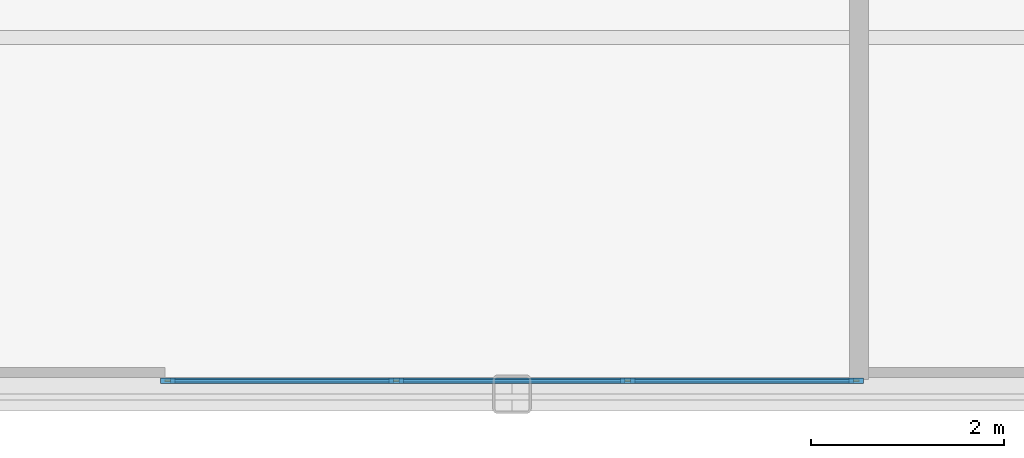
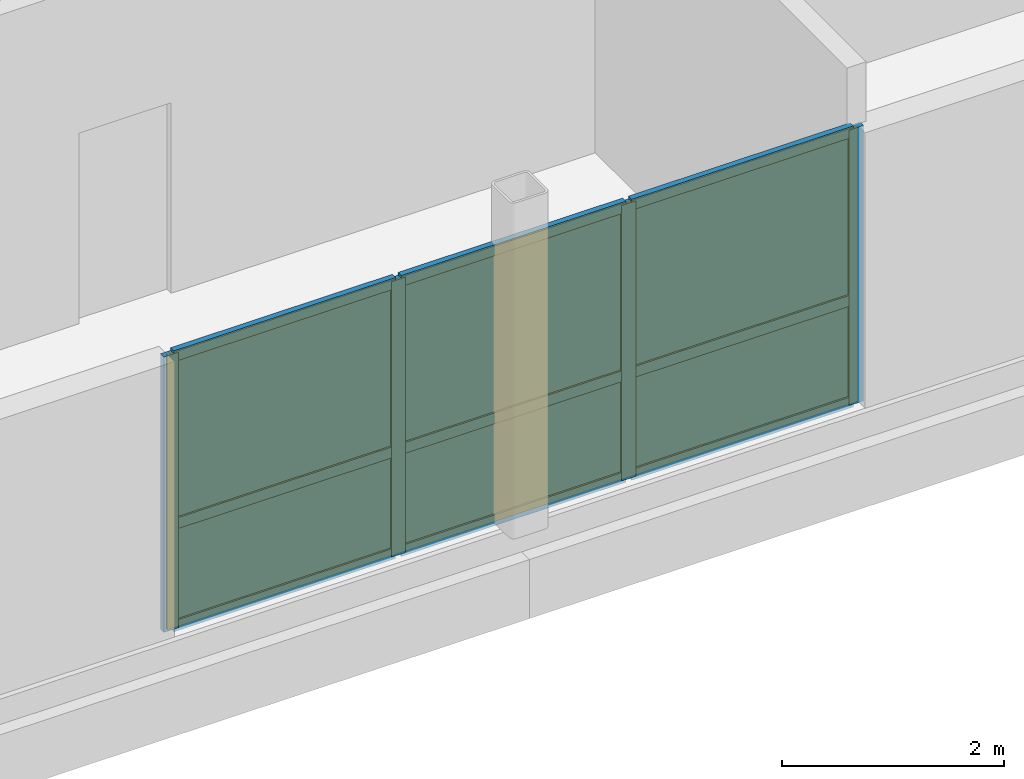
# One storey, part 5 of 10: 13 members, 6 plates, 1 curtain wall.
"""IFC4 building model written with IfcOpenShell, lengths in metres."""

from ifc_helpers import new_model, si_unit, direction, frame, frame_2d, origin, origin_2d, place, context, subcontext, project, spatial, rectangle, extrude, source, transform, mapped, material, layer, layer_set, material_profile, profile_set, type_object, type_shapes, element, aggregate, save


model = new_model("IFC4")

# Units and contexts
model_context = context("Model", 3, precision=1e-05, world=origin(), true_north=direction((0.0, 1.0)))
body_context = subcontext(model_context, "Body", "Model", "MODEL_VIEW")
ifc_project = project(units=[si_unit("LENGTHUNIT", "METRE"), si_unit("AREAUNIT", "SQUARE_METRE"), si_unit("VOLUMEUNIT", "CUBIC_METRE"), si_unit("PLANEANGLEUNIT", "RADIAN"), si_unit("MASSUNIT", "GRAM", prefix="KILO")], contexts=[model_context])

# Member
ifc_material_1 = material(Name="Anodised aluminium 6063-T6", Category="aluminium")
ifc_material_profile_1 = material_profile(ifc_material_1, rectangle(XDim=0.06005859375, YDim=0.14990234375, at=origin_2d()), Name="ALU-MULL-60x150")
ifc_profile_set_1 = profile_set([ifc_material_profile_1], Name="Anodised aluminium 6063-T6")
member_type_1 = type_object("IfcMemberType", Name="CWM-6", PredefinedType="MULLION", material=ifc_profile_set_1)
site_placement = place(None, origin())
building_placement = place(site_placement, origin())
storey_placement = place(building_placement, frame((0.0, 0.0, 291.14990234375)))
member_1_placement = place(storey_placement, frame((-3.570068359375, -16.860107421875, 0.0), z_axis=(0.0, 0.0, 1.0), x_axis=(0.0, 1.0, 0.0)))
member_1 = element("IfcMember", 1, at=member_1_placement, type_object=member_type_1, Name="CWS-6 mullion 1", PredefinedType="MULLION", context=body_context, shape_type="SweptSolid", body=[
    extrude(rectangle(XDim=0.06005859375, YDim=0.14990234375, at=origin_2d()), origin(), (0.0, 0.0, 1.0), 3.03515625),
])

member_2_placement = place(storey_placement, frame((-1.199951171875, -16.860107421875, 0.0), z_axis=(0.0, 0.0, 1.0), x_axis=(0.0, 1.0, 0.0)))
member_2 = element("IfcMember", 2, at=member_2_placement, type_object=member_type_1, Name="CWS-6 mullion 2", PredefinedType="MULLION", context=body_context, shape_type="SweptSolid", body=[
    extrude(rectangle(XDim=0.06005859375, YDim=0.14990234375, at=origin_2d()), origin(), (0.0, 0.0, 1.0), 3.03515625),
])

member_3_placement = place(storey_placement, frame((1.199951171875, -16.860107421875, 0.0), z_axis=(0.0, 0.0, 1.0), x_axis=(0.0, 1.0, 0.0)))
member_3 = element("IfcMember", 3, at=member_3_placement, type_object=member_type_1, Name="CWS-6 mullion 3", PredefinedType="MULLION", context=body_context, shape_type="SweptSolid", body=[
    extrude(rectangle(XDim=0.06005859375, YDim=0.14990234375, at=origin_2d()), origin(), (0.0, 0.0, 1.0), 3.03515625),
])

member_4_placement = place(storey_placement, frame((3.570068359375, -16.860107421875, 0.0), z_axis=(0.0, 0.0, 1.0), x_axis=(0.0, 1.0, 0.0)))
member_4 = element("IfcMember", 4, at=member_4_placement, type_object=member_type_1, Name="CWS-6 mullion 4", PredefinedType="MULLION", context=body_context, shape_type="SweptSolid", body=[
    extrude(rectangle(XDim=0.06005859375, YDim=0.14990234375, at=origin_2d()), origin(), (0.0, 0.0, 1.0), 3.03515625),
])

ifc_material_profile_2 = material_profile(ifc_material_1, rectangle(XDim=0.06005859375, YDim=0.1201171875, at=origin_2d()), Name="ALU-TRAN-60x120")
ifc_profile_set_2 = profile_set([ifc_material_profile_2], Name="Anodised aluminium 6063-T6")
member_type_2 = type_object("IfcMemberType", Name="CWT-6", PredefinedType="USERDEFINED", material=ifc_profile_set_2)
member_5_placement = place(storey_placement, frame((-3.5400390625, -16.860107421875, 0.030029296875), z_axis=(1.0, 0.0, 0.0), x_axis=(0.0, 1.0, 0.0)))
member_5 = element("IfcMember", 5, at=member_5_placement, type_object=member_type_2, Name="CWS-6 transom 1.1", ObjectType="TRANSOM", PredefinedType="USERDEFINED", context=body_context, shape_type="SweptSolid", body=[
    extrude(rectangle(XDim=0.06005859375, YDim=0.1201171875, at=origin_2d()), origin(), (0.0, 0.0, 1.0), 2.31005859375),
])

member_6_placement = place(storey_placement, frame((-3.5400390625, -16.860107421875, 1.1533203125), z_axis=(1.0, 0.0, 0.0), x_axis=(0.0, 1.0, 0.0)))
member_6 = element("IfcMember", 6, at=member_6_placement, type_object=member_type_2, Name="CWS-6 transom 1.2", ObjectType="TRANSOM", PredefinedType="USERDEFINED", context=body_context, shape_type="SweptSolid", body=[
    extrude(rectangle(XDim=0.06005859375, YDim=0.1201171875, at=origin_2d()), origin(), (0.0, 0.0, 1.0), 2.31005859375),
])

member_7_placement = place(storey_placement, frame((-3.5400390625, -16.860107421875, 3.005126953125), z_axis=(1.0, 0.0, 0.0), x_axis=(0.0, 1.0, 0.0)))
member_7 = element("IfcMember", 7, at=member_7_placement, type_object=member_type_2, Name="CWS-6 transom 1.3", ObjectType="TRANSOM", PredefinedType="USERDEFINED", context=body_context, shape_type="SweptSolid", body=[
    extrude(rectangle(XDim=0.06005859375, YDim=0.1201171875, at=origin_2d()), origin(), (0.0, 0.0, 1.0), 2.31005859375),
])

member_8_placement = place(storey_placement, frame((-1.169921875, -16.860107421875, 0.030029296875), z_axis=(1.0, 0.0, 0.0), x_axis=(0.0, 1.0, 0.0)))
member_8 = element("IfcMember", 8, at=member_8_placement, type_object=member_type_2, Name="CWS-6 transom 2.1", ObjectType="TRANSOM", PredefinedType="USERDEFINED", context=body_context, shape_type="SweptSolid", body=[
    extrude(rectangle(XDim=0.06005859375, YDim=0.1201171875, at=origin_2d()), origin(), (0.0, 0.0, 1.0), 2.33984375),
])

member_9_placement = place(storey_placement, frame((-1.169921875, -16.860107421875, 1.1533203125), z_axis=(1.0, 0.0, 0.0), x_axis=(0.0, 1.0, 0.0)))
member_9 = element("IfcMember", 9, at=member_9_placement, type_object=member_type_2, Name="CWS-6 transom 2.2", ObjectType="TRANSOM", PredefinedType="USERDEFINED", context=body_context, shape_type="SweptSolid", body=[
    extrude(rectangle(XDim=0.06005859375, YDim=0.1201171875, at=origin_2d()), origin(), (0.0, 0.0, 1.0), 2.33984375),
])

member_10_placement = place(storey_placement, frame((-1.169921875, -16.860107421875, 3.005126953125), z_axis=(1.0, 0.0, 0.0), x_axis=(0.0, 1.0, 0.0)))
member_10 = element("IfcMember", 10, at=member_10_placement, type_object=member_type_2, Name="CWS-6 transom 2.3", ObjectType="TRANSOM", PredefinedType="USERDEFINED", context=body_context, shape_type="SweptSolid", body=[
    extrude(rectangle(XDim=0.06005859375, YDim=0.1201171875, at=origin_2d()), origin(), (0.0, 0.0, 1.0), 2.33984375),
])

member_11_placement = place(storey_placement, frame((1.22998046875, -16.860107421875, 0.030029296875), z_axis=(1.0, 0.0, 0.0), x_axis=(0.0, 1.0, 0.0)))
member_11 = element("IfcMember", 11, at=member_11_placement, type_object=member_type_2, Name="CWS-6 transom 3.1", ObjectType="TRANSOM", PredefinedType="USERDEFINED", context=body_context, shape_type="SweptSolid", body=[
    extrude(rectangle(XDim=0.06005859375, YDim=0.1201171875, at=origin_2d()), origin(), (0.0, 0.0, 1.0), 2.31005859375),
])

member_12_placement = place(storey_placement, frame((1.22998046875, -16.860107421875, 1.1533203125), z_axis=(1.0, 0.0, 0.0), x_axis=(0.0, 1.0, 0.0)))
member_12 = element("IfcMember", 12, at=member_12_placement, type_object=member_type_2, Name="CWS-6 transom 3.2", ObjectType="TRANSOM", PredefinedType="USERDEFINED", context=body_context, shape_type="SweptSolid", body=[
    extrude(rectangle(XDim=0.06005859375, YDim=0.1201171875, at=origin_2d()), origin(), (0.0, 0.0, 1.0), 2.31005859375),
])

member_13_placement = place(storey_placement, frame((1.22998046875, -16.860107421875, 3.005126953125), z_axis=(1.0, 0.0, 0.0), x_axis=(0.0, 1.0, 0.0)))
member_13 = element("IfcMember", 13, at=member_13_placement, type_object=member_type_2, Name="CWS-6 transom 3.3", ObjectType="TRANSOM", PredefinedType="USERDEFINED", context=body_context, shape_type="SweptSolid", body=[
    extrude(rectangle(XDim=0.06005859375, YDim=0.1201171875, at=origin_2d()), origin(), (0.0, 0.0, 1.0), 2.31005859375),
])

# Plate
ifc_material_2 = material(Name="Insulated solar-control glass", Category="glass")
ifc_layer_1 = layer(ifc_material_2, 0.02392578125, Name="CWP-6")
ifc_layer_set_1 = layer_set([ifc_layer_1], Name="Insulated solar-control glass")
plate_type = type_object("IfcPlateType", Name="CWP-6", PredefinedType="CURTAIN_PANEL", material=ifc_layer_set_1)
shared_shape_1 = source(origin(), body_context, "Body", "SweptSolid", [
    extrude(rectangle(XDim=2.31005859375, YDim=0.02392578125, at=origin_2d()), origin(), (0.0, 0.0, 1.0), 1.063232421875),
])
plate_1_placement = place(storey_placement, frame((-2.385009765625, -16.860107421875, 0.06005859375), z_axis=(0.0, 0.0, 1.0), x_axis=(1.0, 0.0, 0.0)))
plate_1 = element("IfcPlate", 14, at=plate_1_placement, type_object=plate_type, Name="CWS-6 panel 1.1", PredefinedType="CURTAIN_PANEL", context=body_context, shape_type="MappedRepresentation", body=[
    mapped(shared_shape_1, transform((0.0, 0.0, 0.0), scale=1.0)),
])

plate_2_placement = place(storey_placement, frame((2.385009765625, -16.860107421875, 0.06005859375), z_axis=(0.0, 0.0, 1.0), x_axis=(1.0, 0.0, 0.0)))
plate_2 = element("IfcPlate", 15, at=plate_2_placement, type_object=plate_type, Name="CWS-6 panel 3.1", PredefinedType="CURTAIN_PANEL", context=body_context, shape_type="MappedRepresentation", body=[
    mapped(shared_shape_1, transform((0.0, 0.0, 0.0), scale=1.0)),
])

shared_shape_2 = source(origin(), body_context, "Body", "SweptSolid", [
    extrude(rectangle(XDim=2.31005859375, YDim=0.02392578125, at=origin_2d()), origin(), (0.0, 0.0, 1.0), 1.791748046875),
])
plate_3_placement = place(storey_placement, frame((-2.385009765625, -16.860107421875, 1.18359375), z_axis=(0.0, 0.0, 1.0), x_axis=(1.0, 0.0, 0.0)))
plate_3 = element("IfcPlate", 16, at=plate_3_placement, type_object=plate_type, Name="CWS-6 panel 1.2", PredefinedType="CURTAIN_PANEL", context=body_context, shape_type="MappedRepresentation", body=[
    mapped(shared_shape_2, transform((0.0, 0.0, 0.0), scale=1.0)),
])

plate_4_placement = place(storey_placement, frame((2.385009765625, -16.860107421875, 1.18359375), z_axis=(0.0, 0.0, 1.0), x_axis=(1.0, 0.0, 0.0)))
plate_4 = element("IfcPlate", 17, at=plate_4_placement, type_object=plate_type, Name="CWS-6 panel 3.2", PredefinedType="CURTAIN_PANEL", context=body_context, shape_type="MappedRepresentation", body=[
    mapped(shared_shape_2, transform((0.0, 0.0, 0.0), scale=1.0)),
])

shared_shape_3 = source(origin(), body_context, "Body", "SweptSolid", [
    extrude(rectangle(XDim=2.340087890625, YDim=0.02392578125, at=origin_2d()), origin(), (0.0, 0.0, 1.0), 1.063232421875),
])
plate_5_placement = place(storey_placement, frame((0.0, -16.860107421875, 0.06005859375), z_axis=(0.0, 0.0, 1.0), x_axis=(1.0, 0.0, 0.0)))
plate_5 = element("IfcPlate", 18, at=plate_5_placement, type_object=plate_type, Name="CWS-6 panel 2.1", PredefinedType="CURTAIN_PANEL", context=body_context, shape_type="MappedRepresentation", body=[
    mapped(shared_shape_3, transform((0.0, 0.0, 0.0), scale=1.0)),
])

shared_shape_4 = source(origin(), body_context, "Body", "SweptSolid", [
    extrude(rectangle(XDim=2.340087890625, YDim=0.02392578125, at=origin_2d()), origin(), (0.0, 0.0, 1.0), 1.791748046875),
])
type_shapes(plate_type, [shared_shape_1, shared_shape_2, shared_shape_3, shared_shape_4])
plate_6_placement = place(storey_placement, frame((0.0, -16.860107421875, 1.18359375), z_axis=(0.0, 0.0, 1.0), x_axis=(1.0, 0.0, 0.0)))
plate_6 = element("IfcPlate", 19, at=plate_6_placement, type_object=plate_type, Name="CWS-6 panel 2.2", PredefinedType="CURTAIN_PANEL", context=body_context, shape_type="MappedRepresentation", body=[
    mapped(shared_shape_4, transform((0.0, 0.0, 0.0), scale=1.0)),
])

# Site, building, storey
site = spatial("IfcSite", under=ifc_project, at=site_placement, CompositionType="ELEMENT")
building = spatial("IfcBuilding", under=site, at=building_placement, Name="Nuvemarco Arch Tower", CompositionType="ELEMENT")
storey = spatial("IfcBuildingStorey", under=building, at=storey_placement, Name="L77", CompositionType="ELEMENT", Elevation=291.14990234375)

# Curtain wall
ifc_layer_2 = layer(ifc_material_2, 0.14990234375, Name="CW-SYS-6")
ifc_layer_set_2 = layer_set([ifc_layer_2], Name="Insulated solar-control glass")
curtain_wall_type = type_object("IfcCurtainWallType", Name="CW-SYS-6", PredefinedType="NOTDEFINED", material=ifc_layer_set_2)
curtain_wall_placement = place(storey_placement, frame((-3.60009765625, -16.860107421875, 0.0), z_axis=(0.0, 0.0, 1.0), x_axis=(1.0, 0.0, 0.0)))
curtain_wall = element("IfcCurtainWall", 20, at=curtain_wall_placement, inside=storey, type_object=curtain_wall_type, Name="L77 curtain wall CWS-6", PredefinedType="NOTDEFINED", context=body_context, shape_type="SweptSolid", body=[
    extrude(rectangle(XDim=7.2001953125, YDim=0.02001953125, at=frame_2d((3.60009765625, 0.0))), origin(), (0.0, 0.0, 1.0), 3.03515625),
])

aggregate(curtain_wall, [member_1, member_2, member_3, member_4, member_5, member_6, member_7, plate_1, plate_3, member_8, member_9, member_10, plate_5, plate_6, member_11, member_12, member_13, plate_2, plate_4])

save(model, "model.ifc")
